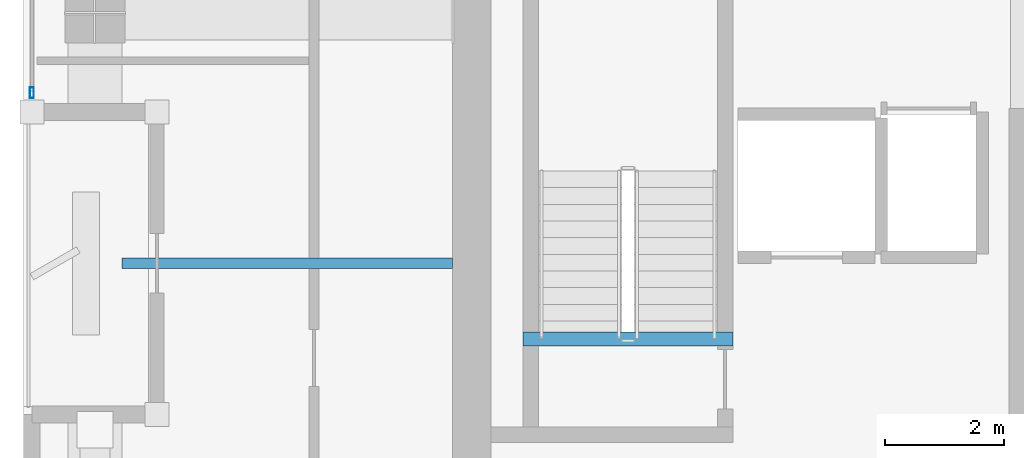
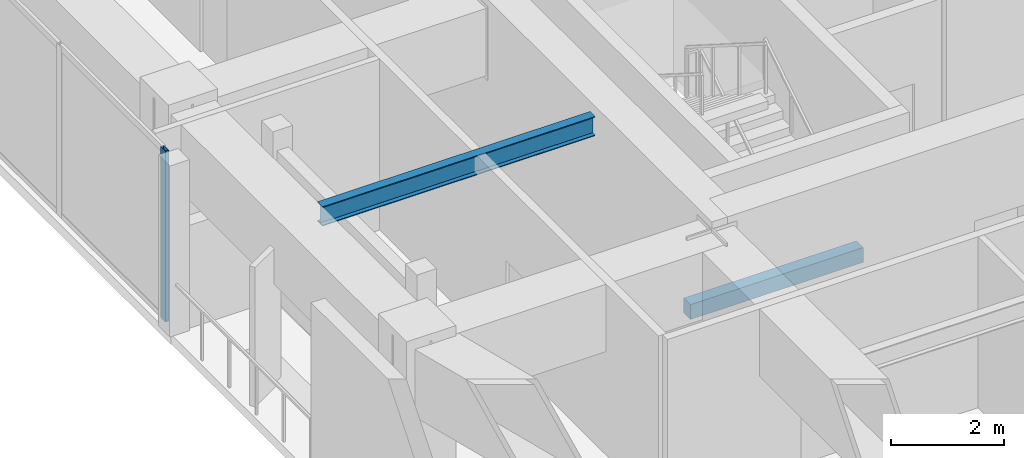
# One storey, part 2 of 21: 2 beams, 1 member, 1 element without a shape of its own.
"""IFC4 building model written with IfcOpenShell, lengths in metres."""

from ifc_helpers import new_model, si_unit, direction, frame, origin, origin_2d, place, context, subcontext, project, spatial, rectangle, hollow_rectangle, i_section, extrude, material, layer, layer_set, material_profile, profile_set, type_object, element, aggregate, save


model = new_model("IFC4")

# Units and contexts
model_context = context("Model", 3, precision=1e-05, world=origin(), true_north=direction((0.0, 1.0)))
body_context = subcontext(model_context, "Body", "Model", "MODEL_VIEW")
ifc_project = project(units=[si_unit("LENGTHUNIT", "METRE"), si_unit("AREAUNIT", "SQUARE_METRE"), si_unit("VOLUMEUNIT", "CUBIC_METRE"), si_unit("PLANEANGLEUNIT", "RADIAN"), si_unit("MASSUNIT", "GRAM", prefix="KILO")], contexts=[model_context])

# Site, building, storey
site_placement = place(None, origin())
site = spatial("IfcSite", under=ifc_project, at=site_placement, CompositionType="ELEMENT")
building_placement = place(site_placement, origin())
building = spatial("IfcBuilding", under=site, at=building_placement, Name="Kiyonajd Concourse Tower", CompositionType="ELEMENT")
storey_placement = place(building_placement, frame((0.0, 0.0, 251.10009765625)))
storey = spatial("IfcBuildingStorey", under=building, at=storey_placement, Name="L63", CompositionType="ELEMENT", Elevation=251.10009765625)

# Beams
ifc_material_1 = material(Name="Steel ASTM A992 Grade 50", Category="steel")
ifc_material_profile_1 = material_profile(ifc_material_1, i_section(OverallWidth=0.180908203125, OverallDepth=0.4169921875, WebThickness=0.010986328125, FlangeThickness=0.018310546875, at=origin_2d()), Name="W410X85")
ifc_profile_set_1 = profile_set([ifc_material_profile_1], Name="Steel ASTM A992 Grade 50")
beam_type_1 = type_object("IfcBeamType", Name="BM-JST-410", PredefinedType="JOIST", material=ifc_profile_set_1)
beam_1_placement = place(storey_placement, frame((26.85009765625, 31.800048828125, 3.471435546875), z_axis=(1.0, 0.0, 0.0), x_axis=(0.0, 1.0, 0.0)))
element("IfcBeam", 1, at=beam_1_placement, inside=storey, type_object=beam_type_1, Name="L63 West Secondary Floor Joist", PredefinedType="JOIST", context=body_context, shape_type="SweptSolid", body=[
    extrude(i_section(OverallWidth=0.180908203125, OverallDepth=0.4169921875, WebThickness=0.010986328125, FlangeThickness=0.018310546875, at=origin_2d()), origin(), (0.0, 0.0, 1.0), 5.5498046875),
])
ifc_material_2 = material(Name="Concrete C50/60", Category="concrete")
ifc_material_profile_2 = material_profile(ifc_material_2, rectangle(XDim=0.239990234375, YDim=0.320068359375, at=origin_2d()), Name="RCBM-240x320")
ifc_profile_set_2 = profile_set([ifc_material_profile_2], Name="Concrete C50/60")
beam_type_2 = type_object("IfcBeamType", Name="BM-LNT-250", PredefinedType="LINTEL", material=ifc_profile_set_2)
beam_2_placement = place(storey_placement, frame((33.590087890625, 30.530029296875, -0.16015625), z_axis=(1.0, 0.0, 0.0), x_axis=(0.0, 1.0, 0.0)))
element("IfcBeam", 2, at=beam_2_placement, inside=storey, type_object=beam_type_2, Name="L63 Stair ST1 Threshold Support Beam", PredefinedType="LINTEL", context=body_context, shape_type="SweptSolid", body=[
    extrude(rectangle(XDim=0.239990234375, YDim=0.320068359375, at=origin_2d()), origin(), (0.0, 0.0, 1.0), 3.52001953125),
])

# Curtain wall, member
ifc_material_3 = material(Name="Thermally Broken Anodised Aluminium", Category="aluminium")
ifc_layer = layer(ifc_material_3, 0.179931640625)
ifc_layer_set = layer_set([ifc_layer], Name="Thermally Broken Anodised Aluminium")
curtain_wall_type = type_object("IfcCurtainWallType", Name="CW-SYS-04", PredefinedType="NOTDEFINED", material=ifc_layer_set)
curtain_wall_placement = place(storey_placement, origin())
curtain_wall = element("IfcCurtainWall", 3, at=curtain_wall_placement, inside=storey, type_object=curtain_wall_type, Name="L63 Unitised Curtain Wall CW4", PredefinedType="NOTDEFINED")
ifc_material_profile_3 = material_profile(ifc_material_3, hollow_rectangle(XDim=0.06494140625, YDim=0.179931640625, WallThickness=0.00390625, at=origin_2d()), Name="MULL-65x180")
ifc_profile_set_3 = profile_set([ifc_material_profile_3], Name="Thermally Broken Anodised Aluminium")
member_type = type_object("IfcMemberType", Name="MB-CW-MULL1", PredefinedType="MULLION", material=ifc_profile_set_3)
member_placement = place(storey_placement, frame((25.340087890625, 34.66259765625, 0.0), z_axis=(0.0, 0.0, 1.0), x_axis=(-1.0, 0.0, 0.0)))
member = element("IfcMember", 4, at=member_placement, type_object=member_type, Name="CW4 mullion 1", PredefinedType="MULLION", context=body_context, shape_type="SweptSolid", body=[
    extrude(hollow_rectangle(XDim=0.06494140625, YDim=0.179931640625, WallThickness=0.00390625, at=origin_2d()), origin(), (0.0, 0.0, 1.0), 3.679931640625),
])
aggregate(curtain_wall, [member])

save(model, "model.ifc")
